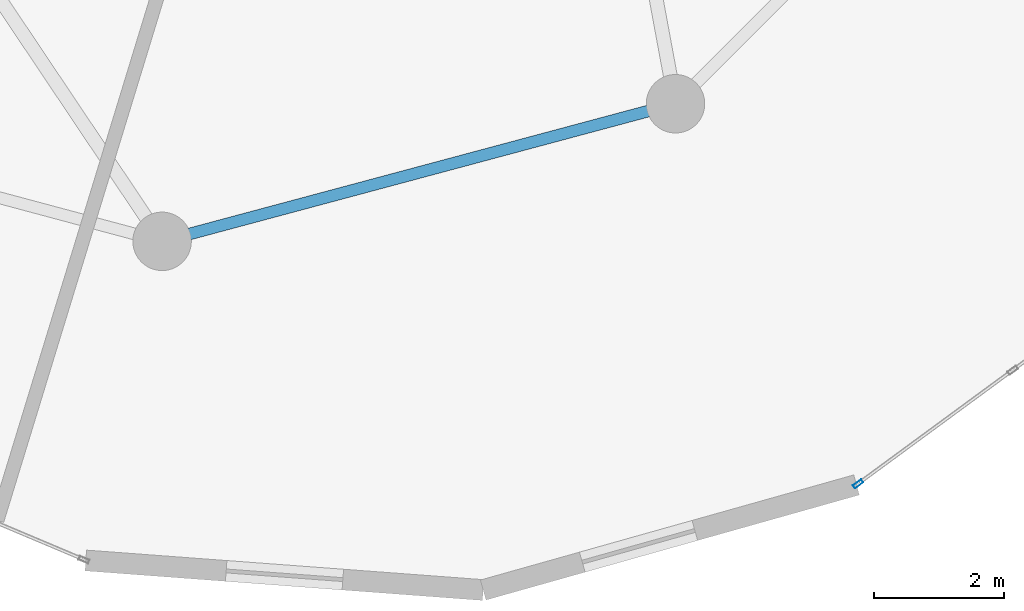
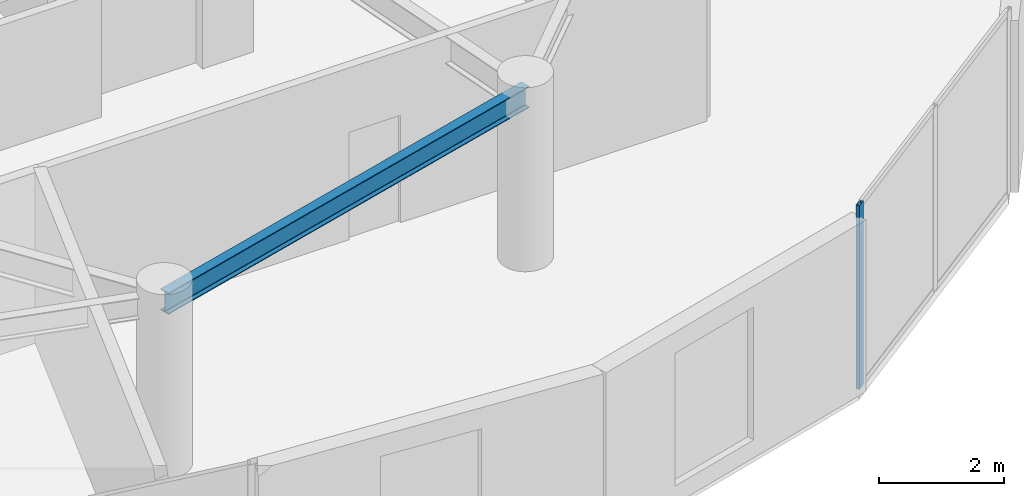
# One storey, part 4 of 18: 1 beam, 1 member, 1 element without a shape of its own.
"""IFC4 building model written with IfcOpenShell, lengths in metres."""

from ifc_helpers import new_model, si_unit, direction, frame, origin, origin_2d, place, context, subcontext, project, spatial, hollow_rectangle, i_section, extrude, source, transform, mapped, material, layer, layer_set, material_profile, profile_set, type_object, element, aggregate, save


model = new_model("IFC4")

# Units and contexts
model_context = context("Model", 3, precision=1e-05, world=origin(), true_north=direction((0.0, 1.0)))
body_context = subcontext(model_context, "Body", "Model", "MODEL_VIEW")
ifc_project = project(units=[si_unit("LENGTHUNIT", "METRE"), si_unit("AREAUNIT", "SQUARE_METRE"), si_unit("VOLUMEUNIT", "CUBIC_METRE"), si_unit("PLANEANGLEUNIT", "RADIAN"), si_unit("MASSUNIT", "GRAM", prefix="KILO")], contexts=[model_context])

# Site, building, storey
site_placement = place(None, origin())
site = spatial("IfcSite", under=ifc_project, at=site_placement, CompositionType="ELEMENT")
building_placement = place(site_placement, origin())
building = spatial("IfcBuilding", under=site, at=building_placement, Name="Solvirekh Grand Hotel", CompositionType="ELEMENT")
storey_placement = place(building_placement, frame((0.0, 0.0, 202.0)))
storey = spatial("IfcBuildingStorey", under=building, at=storey_placement, Name="L52", CompositionType="ELEMENT", Elevation=202.0)

# Beam
ifc_material_1 = material(Name="Steel S355", Category="steel")
ifc_material_profile_1 = material_profile(ifc_material_1, i_section(OverallWidth=0.180908203125, OverallDepth=0.4169921875, WebThickness=0.010009765625, FlangeThickness=0.01611328125, FilletRadius=0.011962890625, at=origin_2d()), Name="W410X85")
ifc_profile_set_1 = profile_set([ifc_material_profile_1], Name="Steel S355")
beam_type = type_object("IfcBeamType", Name="Spandrel_Ring_W410", PredefinedType="SPANDREL", material=ifc_profile_set_1)
beam_placement = place(storey_placement, frame((0.0, -15.800048828125, 3.152099609375), z_axis=(0.965920601923, 0.258838541915, 0.0), x_axis=(-0.258838541915, 0.965920601923, 0.0)))
element("IfcBeam", 1, at=beam_placement, inside=storey, type_object=beam_type, Name="L52 perimeter spandrel beam 10", PredefinedType="SPANDREL", context=body_context, shape_type="SweptSolid", body=[
    extrude(i_section(OverallWidth=0.180908203125, OverallDepth=0.4169921875, WebThickness=0.010009765625, FlangeThickness=0.01611328125, FilletRadius=0.011962890625, at=origin_2d()), origin(), (0.0, 0.0, 1.0), 8.1787109375),
])

# Curtain wall, member
ifc_material_2 = material(Name="Anodized Bronze Aluminium 6063-T6", Category="aluminium")
ifc_layer = layer(ifc_material_2, 0.159912109375)
ifc_layer_set = layer_set([ifc_layer], Name="Anodized Bronze Aluminium 6063-T6")
curtain_wall_type = type_object("IfcCurtainWallType", Name="CW_Sys4_HighZoneFlushBronzeCW", PredefinedType="NOTDEFINED", material=ifc_layer_set)
curtain_wall_placement = place(storey_placement, origin())
curtain_wall = element("IfcCurtainWall", 2, at=curtain_wall_placement, inside=storey, type_object=curtain_wall_type, Name="L52 unitised bronze-glass curtain wall CW-L52-C01", PredefinedType="NOTDEFINED")
ifc_material_profile_2 = material_profile(ifc_material_2, hollow_rectangle(XDim=0.06005859375, YDim=0.159912109375, WallThickness=0.0048828125, at=origin_2d()), Name="ALU RHS 160X60X5")
ifc_profile_set_2 = profile_set([ifc_material_profile_2], Name="Anodized Bronze Aluminium 6063-T6")
member_type = type_object("IfcMemberType", Name="CWMullion_Sys4", PredefinedType="MULLION", material=ifc_profile_set_2)
shared_shape = source(origin(), body_context, "Body", "SweptSolid", [
    extrude(hollow_rectangle(XDim=0.06005859375, YDim=0.159912109375, WallThickness=0.0048828125, at=origin_2d()), origin(), (0.0, 0.0, 1.0), 3.60009765625),
])
member_placement = place(storey_placement, frame((10.709228515625, -19.53125, 0.0), z_axis=(0.0, 0.0, 1.0), x_axis=(-0.591763193418, 0.80611185509, 0.0)))
member = element("IfcMember", 3, at=member_placement, type_object=member_type, Name="U04 mullion 1", PredefinedType="MULLION", context=body_context, shape_type="MappedRepresentation", body=[
    mapped(shared_shape, transform((0.0, 0.0, 0.0), x_axis=(1.0, 0.0, 0.0), y_axis=(0.0, 1.0, 0.0), z_axis=(0.0, 0.0, 1.0), scale=1.0)),
])
aggregate(curtain_wall, [member])

save(model, "model.ifc")
